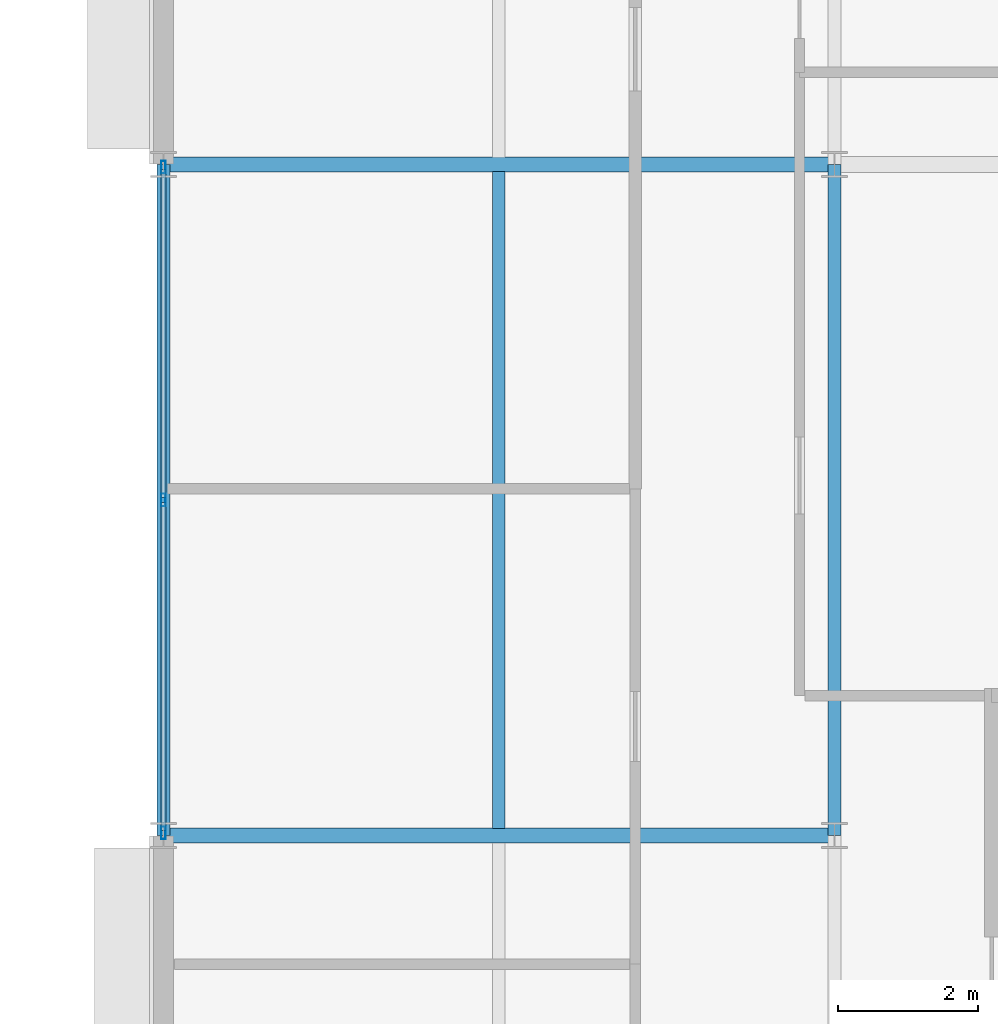
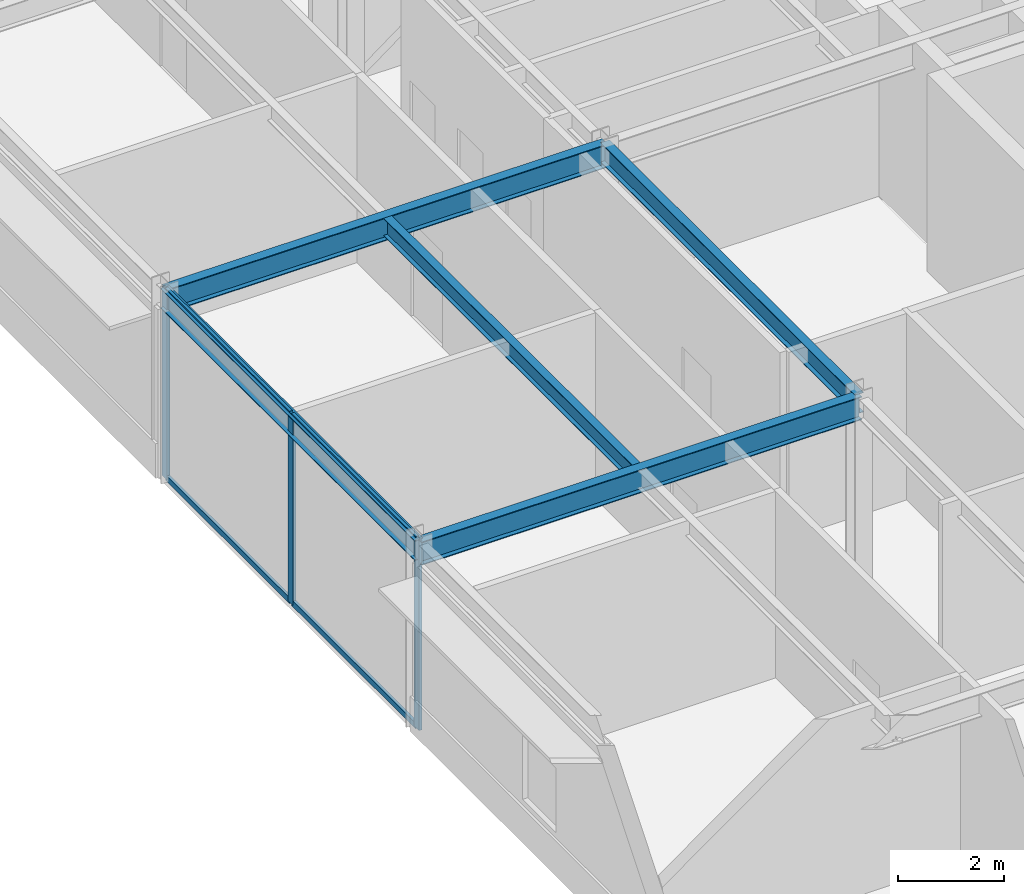
# One storey, part 49 of 89: 7 members, 5 beams, 1 element without a shape of its own.
"""IFC4 building model written with IfcOpenShell, lengths in metres."""

import ifcopenshell
import ifcopenshell.guid

model = None  # the IFC model being written
_history = None  # IfcOwnerHistory: only IFC2X3 demands one
_inside = {}  # id of a spatial element -> (the spatial element, [elements in it])
_under = {}  # id of a project, library or spatial element -> (it, [spatial elements below it])
_declared = {}  # id of a project -> (the project, [libraries it declares])
_typed = {}  # id of a type object -> (the type object, [elements of that type])
_made_of = {}  # id of a material, layer set ... -> (it, [elements and type objects made of it])


def new_model(schema):
    """Start an empty IFC model of exactly this schema.

    Asked for "IFC4X3", IfcOpenShell would pick the latest addendum, in which some entities
    have other attributes; the version numbers below select the first issue.
    IFC2X3 requires an IfcOwnerHistory on every rooted entity: one is made here for all.
    """
    global model, _history
    if schema == "IFC4X3":
        model = ifcopenshell.file(schema_version=(4, 3, 0, 0))
    else:
        model = ifcopenshell.file(schema=schema)
    _inside.clear()
    _under.clear()
    _declared.clear()
    _typed.clear()
    _made_of.clear()
    _history = None
    if model.schema == "IFC2X3":
        org = make("IfcOrganization", Name="unknown")
        user = make(
            "IfcPersonAndOrganization",
            ThePerson=make("IfcPerson", FamilyName="unknown"),
            TheOrganization=org,
        )
        app = make(
            "IfcApplication",
            ApplicationDeveloper=org,
            Version="unknown",
            ApplicationFullName="unknown",
            ApplicationIdentifier="unknown",
        )
        _history = make(
            "IfcOwnerHistory",
            OwningUser=user,
            OwningApplication=app,
            ChangeAction="ADDED",
            CreationDate=0,
        )
    return model


def make(cls, **values):
    """One entity of the class cls with the attributes given. An attribute that is None is left unset."""
    return model.create_entity(
        cls, **{name: value for name, value in values.items() if value is not None}
    )


def rooted(cls, **values):
    """An entity with a GlobalId (a new one), such as an element, a storey or a relation."""
    return make(cls, GlobalId=ifcopenshell.guid.new(), OwnerHistory=_history, **values)


def si_unit(unit_type, name, prefix=None):
    """IfcSIUnit, for example si_unit("LENGTHUNIT", "METRE", prefix="MILLI")."""
    return make("IfcSIUnit", UnitType=unit_type, Prefix=prefix, Name=name)


def assignment(units):
    """IfcUnitAssignment: the units of a project."""
    return None if units is None else make("IfcUnitAssignment", Units=units)


def point(xyz):
    """IfcCartesianPoint."""
    return None if xyz is None else make("IfcCartesianPoint", Coordinates=xyz)


def direction(xyz):
    """IfcDirection."""
    return None if xyz is None else make("IfcDirection", DirectionRatios=xyz)


def frame(location, z_axis=None, x_axis=None):
    """IfcAxis2Placement3D, a coordinate frame: its origin and axes. An axis left out is left unset."""
    return make(
        "IfcAxis2Placement3D",
        Location=point(location),
        Axis=direction(z_axis),
        RefDirection=direction(x_axis),
    )


def frame_2d(location, x_axis=None):
    """IfcAxis2Placement2D, a coordinate frame in the plane: its origin and x axis."""
    return make(
        "IfcAxis2Placement2D", Location=point(location), RefDirection=direction(x_axis)
    )


def origin():
    """The frame at (0, 0, 0) with its axes left unset."""
    return frame((0.0, 0.0, 0.0))


def origin_2d():
    """The frame at (0, 0) in the plane with its x axis left unset."""
    return frame_2d((0.0, 0.0))


def place(relative_to, where):
    """IfcLocalPlacement: puts the frame where relative to a parent placement (None: the world)."""
    return make(
        "IfcLocalPlacement", PlacementRelTo=relative_to, RelativePlacement=where
    )


def context(
    kind, dimensions, precision=None, world=None, true_north=None, identifier=None
):
    """IfcGeometricRepresentationContext, for example the 3D "Model" context."""
    return make(
        "IfcGeometricRepresentationContext",
        ContextIdentifier=identifier,
        ContextType=kind,
        CoordinateSpaceDimension=dimensions,
        Precision=precision,
        WorldCoordinateSystem=world,
        TrueNorth=true_north,
    )


def subcontext(parent, identifier, kind, view, scale=None):
    """IfcGeometricRepresentationSubContext, for example "Body" below "Model"."""
    return make(
        "IfcGeometricRepresentationSubContext",
        ContextIdentifier=identifier,
        ContextType=kind,
        ParentContext=parent,
        TargetScale=scale,
        TargetView=view,
    )


def project(units=None, contexts=None):
    """IfcProject with its units and contexts."""
    return rooted(
        "IfcProject",
        Name="project",
        RepresentationContexts=contexts,
        UnitsInContext=assignment(units),
    )


def spatial(cls, under=None, at=None, **own):
    """A site, building, storey or space (cls), placed at a placement, below another one or the project."""
    s = rooted(cls, ObjectPlacement=at, **own)
    if under is not None:
        _under.setdefault(under.id(), (under, []))[1].append(s)
    return s


def profile(cls, at=None, kind="AREA", **sizes):
    """A parametric profile (cls). Its sizes go by their IFC names, for example OverallWidth=200.0."""
    return make(cls, ProfileType=kind, Position=at, **sizes)


def hollow_rectangle(**sizes):
    """IfcRectangleHollowProfileDef."""
    return profile("IfcRectangleHollowProfileDef", **sizes)


def i_section(**sizes):
    """IfcIShapeProfileDef."""
    return profile("IfcIShapeProfileDef", **sizes)


def extrude(swept, where, along, depth):
    """IfcExtrudedAreaSolid: the profile swept, set in the frame where, extruded along a direction by depth."""
    return make(
        "IfcExtrudedAreaSolid",
        SweptArea=swept,
        Position=where,
        ExtrudedDirection=direction(along),
        Depth=depth,
    )


def shape(context_of_items, identifier, shape_type, items):
    """IfcShapeRepresentation: the items that make up one representation, for example the "Body"."""
    return make(
        "IfcShapeRepresentation",
        ContextOfItems=context_of_items,
        RepresentationIdentifier=identifier,
        RepresentationType=shape_type,
        Items=items,
    )


def material(Name=None, Category=None):
    """IfcMaterial."""
    return make("IfcMaterial", Name=Name, Category=Category)


def material_profile(
    of_material, cross_section, Name=None, Category=None, Priority=None
):
    """IfcMaterialProfile: a cross section and its material."""
    return make(
        "IfcMaterialProfile",
        Name=Name,
        Material=of_material,
        Profile=cross_section,
        Priority=Priority,
        Category=Category,
    )


def profile_set(profiles, Name=None, composite=None):
    """IfcMaterialProfileSet."""
    return make(
        "IfcMaterialProfileSet",
        Name=Name,
        MaterialProfiles=profiles,
        CompositeProfile=composite,
    )


def made_of(thing, what):
    """Note that an element or type object is made of a material, layer set ...; save() writes the relation."""
    if what is not None:
        _made_of.setdefault(what.id(), (what, []))[1].append(thing)
    return thing


def type_object(cls, material=None, **own):
    """A type object (cls), such as IfcWallType, which elements share."""
    return made_of(rooted(cls, **own), material)


def element(
    cls,
    number,
    at=None,
    inside=None,
    cuts=None,
    type_object=None,
    material=None,
    context=None,
    identifier="Body",
    shape_type=None,
    held_by="IfcProductDefinitionShape",
    body=None,
    shapes=None,
    **own,
):
    """One element of the class cls, such as IfcWall. Its Tag is "e" and its number.

    at: its placement. inside: the storey or other place that contains it. cuts: it is an
    opening in that element (IfcRelVoidsElement). A single representation is given by context,
    identifier, shape_type and body (its items); several are given by shapes. held_by: the class
    of the entity that holds the representations. save() writes the other relations.
    """
    e = rooted(cls, Tag="e%d" % number, ObjectPlacement=at, **own)
    if body is not None:
        shapes = [shape(context, identifier, shape_type, body)]
    if shapes is not None:
        e.Representation = make(held_by, Representations=shapes)
    if inside is not None:
        _inside.setdefault(inside.id(), (inside, []))[1].append(e)
    if cuts is not None:
        rooted(
            "IfcRelVoidsElement", RelatingBuildingElement=cuts, RelatedOpeningElement=e
        )
    if type_object is not None:
        _typed.setdefault(type_object.id(), (type_object, []))[1].append(e)
    return made_of(e, material)


def aggregate(whole, parts):
    """IfcRelAggregates: a whole, such as a stair, and the parts it consists of."""
    return rooted("IfcRelAggregates", RelatingObject=whole, RelatedObjects=parts)


def save(model, path):
    """Write the relations noted so far, then the file.

    IfcRelAggregates (storeys below a building ...), IfcRelContainedInSpatialStructure (elements
    in a storey), IfcRelDefinesByType, IfcRelAssociatesMaterial and IfcRelDeclares: one each for
    every whole, place, type object, material and project.
    """
    for whole, parts in _under.values():
        aggregate(whole, parts)
    for where, things in _inside.values():
        rooted(
            "IfcRelContainedInSpatialStructure",
            RelatedElements=things,
            RelatingStructure=where,
        )
    for kind, things in _typed.values():
        rooted("IfcRelDefinesByType", RelatedObjects=things, RelatingType=kind)
    for what, things in _made_of.values():
        rooted("IfcRelAssociatesMaterial", RelatedObjects=things, RelatingMaterial=what)
    for by, libraries in _declared.values():
        rooted("IfcRelDeclares", RelatingContext=by, RelatedDefinitions=libraries)
    model.write(path)


model = new_model("IFC4")

# Units and contexts
model_context = context("Model", 3, precision=1e-05, world=origin(), true_north=direction((0.0, 1.0)))
body_context = subcontext(model_context, "Body", "Model", "MODEL_VIEW")
ifc_project = project(units=[si_unit("LENGTHUNIT", "METRE"), si_unit("AREAUNIT", "SQUARE_METRE"), si_unit("VOLUMEUNIT", "CUBIC_METRE"), si_unit("PLANEANGLEUNIT", "RADIAN"), si_unit("MASSUNIT", "GRAM", prefix="KILO")], contexts=[model_context])

# Site, building, storey
site_placement = place(None, origin())
site = spatial("IfcSite", under=ifc_project, at=site_placement, CompositionType="ELEMENT")
building_placement = place(site_placement, origin())
building = spatial("IfcBuilding", under=site, at=building_placement, Name="Almandine Court Research Institute", CompositionType="ELEMENT")
storey_placement = place(building_placement, frame((0.0, 0.0, 18.89990234375)))
storey = spatial("IfcBuildingStorey", under=building, at=storey_placement, Name="L04", CompositionType="ELEMENT", Elevation=18.89990234375)

# Beams
ifc_material_1 = material(Name="Steel ASTM A992 Grade 50", Category="steel")
ifc_material_profile_1 = material_profile(ifc_material_1, i_section(OverallWidth=0.18994140625, OverallDepth=0.45703125, WebThickness=0.009033203125, FlangeThickness=0.014892578125, at=origin_2d()), Name="W460x74")
ifc_profile_set_1 = profile_set([ifc_material_profile_1], Name="Steel ASTM A992 Grade 50")
beam_type_1 = type_object("IfcBeamType", Name="Beam-B-01", PredefinedType="BEAM", material=ifc_profile_set_1)
for number, where, z_axis, x_axis, name in (
    (1, (153.60009765625, 25.199951171875, 4.14111328125), (0.0, 1.0, 0.0), (-1.0, 0.0, 0.0), "L04 V4 Primary Y Girder"),
    (2, (163.199951171875, 25.199951171875, 4.14111328125), (0.0, 1.0, 0.0), (-1.0, 0.0, 0.0), "L04 V4 Primary Y Girder"),
):
    element("IfcBeam", number, at=place(storey_placement, frame(where, z_axis=z_axis, x_axis=x_axis)), inside=storey, type_object=beam_type_1, Name=name, PredefinedType="BEAM", context=body_context, shape_type="SweptSolid", body=[
        extrude(i_section(OverallWidth=0.18994140625, OverallDepth=0.45703125, WebThickness=0.009033203125, FlangeThickness=0.014892578125, at=origin_2d()), origin(), (0.0, 0.0, 1.0), 9.60009765625),
    ])
ifc_material_profile_2 = material_profile(ifc_material_1, i_section(OverallWidth=0.178955078125, OverallDepth=0.409912109375, WebThickness=0.009033203125, FlangeThickness=0.013916015625, at=origin_2d()), Name="W410x67")
ifc_profile_set_2 = profile_set([ifc_material_profile_2], Name="Steel ASTM A992 Grade 50")
beam_type_2 = type_object("IfcBeamType", Name="Beam-B-02", PredefinedType="JOIST", material=ifc_profile_set_2)
beam_placement = place(storey_placement, frame((158.39990234375, 25.302978515625, 4.1650390625), z_axis=(0.0, 1.0, 0.0), x_axis=(-1.0, 0.0, 0.0)))
element("IfcBeam", 3, at=beam_placement, inside=storey, type_object=beam_type_2, Name="L04 V4 Composite Secondary Beam", PredefinedType="JOIST", context=body_context, shape_type="SweptSolid", body=[
    extrude(i_section(OverallWidth=0.178955078125, OverallDepth=0.409912109375, WebThickness=0.009033203125, FlangeThickness=0.013916015625, at=origin_2d()), origin(), (0.0, 0.0, 1.0), 9.39404296875),
])
ifc_material_profile_3 = material_profile(ifc_material_1, i_section(OverallWidth=0.2109375, OverallDepth=0.5390625, WebThickness=0.011962890625, FlangeThickness=0.01904296875, at=origin_2d()), Name="W530x109")
ifc_profile_set_3 = profile_set([ifc_material_profile_3], Name="Steel ASTM A992 Grade 50")
beam_type_3 = type_object("IfcBeamType", Name="Beam-G-04", PredefinedType="BEAM", material=ifc_profile_set_3)
for number, where, z_axis, x_axis, name in (
    (4, (153.60009765625, 25.199951171875, 4.10009765625), (1.0, 0.0, 0.0), (0.0, 1.0, 0.0), "L04 V4 Primary X Girder"),
    (5, (153.60009765625, 34.800048828125, 4.10009765625), (1.0, 0.0, 0.0), (0.0, 1.0, 0.0), "L04 V4 Primary X Girder"),
):
    element("IfcBeam", number, at=place(storey_placement, frame(where, z_axis=z_axis, x_axis=x_axis)), inside=storey, type_object=beam_type_3, Name=name, PredefinedType="BEAM", context=body_context, shape_type="SweptSolid", body=[
        extrude(i_section(OverallWidth=0.2109375, OverallDepth=0.5390625, WebThickness=0.011962890625, FlangeThickness=0.01904296875, at=origin_2d()), origin(), (0.0, 0.0, 1.0), 9.599853515625),
    ])

# Curtain wall, members
ifc_material_2 = material(Name="Unitised Curtain Wall Framing and Solar Glazing", Category="glass")
curtain_wall_type = type_object("IfcCurtainWallType", Name="CW-CWJ-09", PredefinedType="USERDEFINED", material=ifc_material_2)
curtain_wall_placement = place(storey_placement, origin())
curtain_wall = element("IfcCurtainWall", 6, at=curtain_wall_placement, inside=storey, type_object=curtain_wall_type, Name="L04 Wet Lab West Courtyard Jali Curtain Wall 3", ObjectType="SOLAR JALI SCREEN", PredefinedType="USERDEFINED")
ifc_material_3 = material(Name="Anodised Aluminium AW-6063-T6", Category="aluminium")
ifc_material_profile_4 = material_profile(ifc_material_3, hollow_rectangle(XDim=0.06494140625, YDim=0.179931640625, WallThickness=0.00390625, at=origin_2d()), Name="ALU RHS 65x180x4")
ifc_profile_set_4 = profile_set([ifc_material_profile_4], Name="Anodised Aluminium AW-6063-T6")
member_type_1 = type_object("IfcMemberType", Name="CWMul-65x180", PredefinedType="MULLION", material=ifc_profile_set_4)
member_1_placement = place(storey_placement, frame((153.60009765625, 25.236572265625, 0.0), z_axis=(0.0, 0.0, 1.0), x_axis=(-1.0, 0.0, 0.0)))
member_1 = element("IfcMember", 7, at=member_1_placement, type_object=member_type_1, Name="CWJ-09 mullion 1", PredefinedType="MULLION", context=body_context, shape_type="SweptSolid", body=[
    extrude(hollow_rectangle(XDim=0.06494140625, YDim=0.179931640625, WallThickness=0.00390625, at=origin_2d()), origin(), (0.0, 0.0, 1.0), 4.3701171875),
])
member_2_placement = place(storey_placement, frame((153.60009765625, 30.0, 0.0), z_axis=(0.0, 0.0, 1.0), x_axis=(-1.0, 0.0, 0.0)))
member_2 = element("IfcMember", 8, at=member_2_placement, type_object=member_type_1, Name="CWJ-09 mullion 2", PredefinedType="MULLION", context=body_context, shape_type="SweptSolid", body=[
    extrude(hollow_rectangle(XDim=0.06494140625, YDim=0.179931640625, WallThickness=0.00390625, at=origin_2d()), origin(), (0.0, 0.0, 1.0), 4.3701171875),
])
member_3_placement = place(storey_placement, frame((153.60009765625, 34.763427734375, 0.0), z_axis=(0.0, 0.0, 1.0), x_axis=(-1.0, 0.0, 0.0)))
member_3 = element("IfcMember", 9, at=member_3_placement, type_object=member_type_1, Name="CWJ-09 mullion 3", PredefinedType="MULLION", context=body_context, shape_type="SweptSolid", body=[
    extrude(hollow_rectangle(XDim=0.06494140625, YDim=0.179931640625, WallThickness=0.00390625, at=origin_2d()), origin(), (0.0, 0.0, 1.0), 4.3701171875),
])
ifc_material_profile_5 = material_profile(ifc_material_3, hollow_rectangle(XDim=0.06494140625, YDim=0.1298828125, WallThickness=0.00390625, at=origin_2d()), Name="ALU RHS 65x130x4")
ifc_profile_set_5 = profile_set([ifc_material_profile_5], Name="Anodised Aluminium AW-6063-T6")
member_type_2 = type_object("IfcMemberType", Name="CWTrn-65x130", PredefinedType="NOTDEFINED", material=ifc_profile_set_5)
member_4_placement = place(storey_placement, frame((153.60009765625, 25.26904296875, 0.03271484375), z_axis=(0.0, 1.0, 0.0), x_axis=(-1.0, 0.0, 0.0)))
member_4 = element("IfcMember", 10, at=member_4_placement, type_object=member_type_2, Name="CWJ-09 transom 1.1", ObjectType="TRANSOM", PredefinedType="USERDEFINED", context=body_context, shape_type="SweptSolid", body=[
    extrude(hollow_rectangle(XDim=0.06494140625, YDim=0.1298828125, WallThickness=0.00390625, at=origin_2d()), origin(), (0.0, 0.0, 1.0), 4.698486328125),
])
member_5_placement = place(storey_placement, frame((153.60009765625, 25.26904296875, 4.337646484375), z_axis=(0.0, 1.0, 0.0), x_axis=(-1.0, 0.0, 0.0)))
member_5 = element("IfcMember", 11, at=member_5_placement, type_object=member_type_2, Name="CWJ-09 transom 1.2", ObjectType="TRANSOM", PredefinedType="USERDEFINED", context=body_context, shape_type="SweptSolid", body=[
    extrude(hollow_rectangle(XDim=0.06494140625, YDim=0.1298828125, WallThickness=0.00390625, at=origin_2d()), origin(), (0.0, 0.0, 1.0), 4.698486328125),
])
member_6_placement = place(storey_placement, frame((153.60009765625, 30.032470703125, 0.03271484375), z_axis=(0.0, 1.0, 0.0), x_axis=(-1.0, 0.0, 0.0)))
member_6 = element("IfcMember", 12, at=member_6_placement, type_object=member_type_2, Name="CWJ-09 transom 2.1", ObjectType="TRANSOM", PredefinedType="USERDEFINED", context=body_context, shape_type="SweptSolid", body=[
    extrude(hollow_rectangle(XDim=0.06494140625, YDim=0.1298828125, WallThickness=0.00390625, at=origin_2d()), origin(), (0.0, 0.0, 1.0), 4.698486328125),
])
member_7_placement = place(storey_placement, frame((153.60009765625, 30.032470703125, 4.337646484375), z_axis=(0.0, 1.0, 0.0), x_axis=(-1.0, 0.0, 0.0)))
member_7 = element("IfcMember", 13, at=member_7_placement, type_object=member_type_2, Name="CWJ-09 transom 2.2", ObjectType="TRANSOM", PredefinedType="USERDEFINED", context=body_context, shape_type="SweptSolid", body=[
    extrude(hollow_rectangle(XDim=0.06494140625, YDim=0.1298828125, WallThickness=0.00390625, at=origin_2d()), origin(), (0.0, 0.0, 1.0), 4.698486328125),
])
aggregate(curtain_wall, [member_1, member_2, member_3, member_4, member_5, member_6, member_7])

save(model, "model.ifc")
